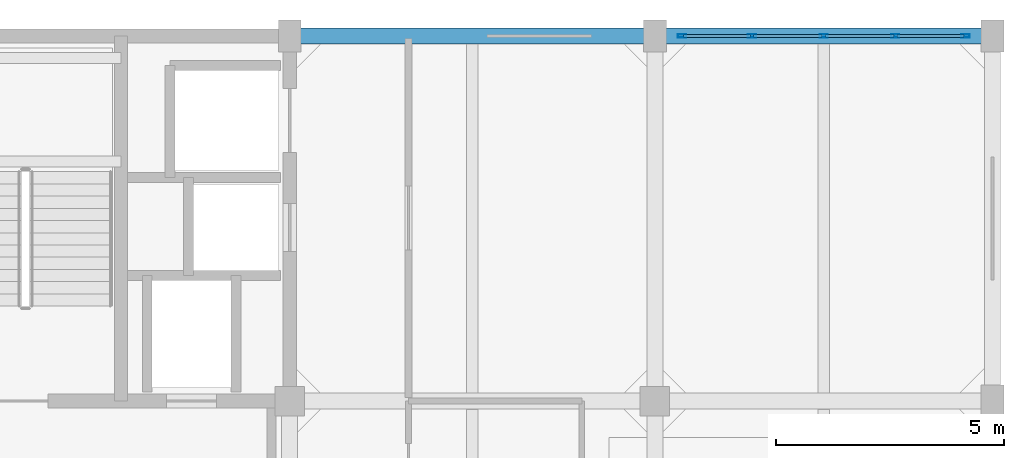
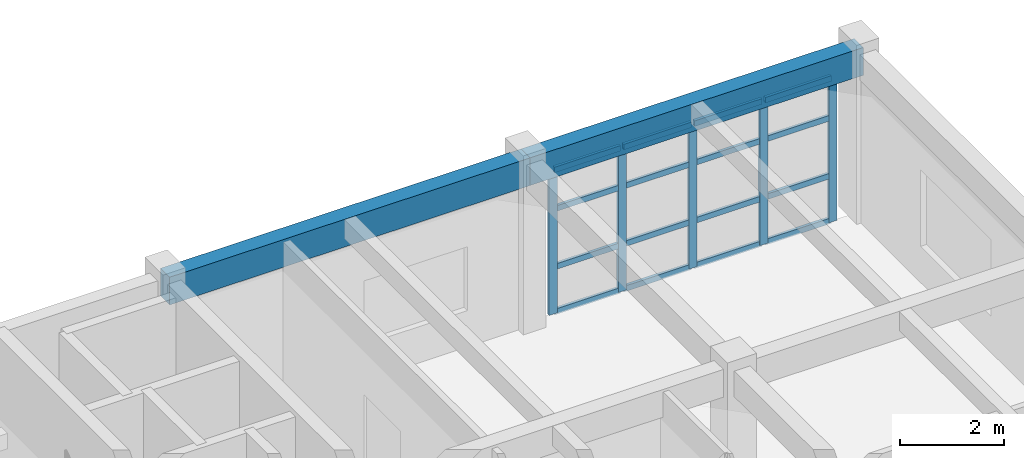
# One storey, part 12 of 18: 21 members, 2 beams, 1 element without a shape of its own.
"""IFC4 building model written with IfcOpenShell, lengths in metres."""

from ifc_helpers import new_model, si_unit, direction, frame, origin, origin_2d, place, context, subcontext, project, spatial, rectangle, hollow_rectangle, extrude, material, layer, layer_set, material_profile, profile_set, type_object, element, aggregate, save


model = new_model("IFC4")

# Units and contexts
model_context = context("Model", 3, precision=1e-05, world=origin(), true_north=direction((0.0, 1.0)))
body_context = subcontext(model_context, "Body", "Model", "MODEL_VIEW")
ifc_project = project(units=[si_unit("LENGTHUNIT", "METRE"), si_unit("AREAUNIT", "SQUARE_METRE"), si_unit("VOLUMEUNIT", "CUBIC_METRE"), si_unit("PLANEANGLEUNIT", "RADIAN"), si_unit("MASSUNIT", "GRAM", prefix="KILO")], contexts=[model_context])

# Site, building, storey
site_placement = place(None, origin())
site = spatial("IfcSite", under=ifc_project, at=site_placement, CompositionType="ELEMENT")
building_placement = place(site_placement, origin())
building = spatial("IfcBuilding", under=site, at=building_placement, Name="Canggui Botanical Conservatory", CompositionType="ELEMENT")
storey_placement = place(building_placement, frame((0.0, 0.0, 52.800048828125)))
storey = spatial("IfcBuildingStorey", under=building, at=storey_placement, Name="L13", CompositionType="ELEMENT", Elevation=52.800048828125)

# Beams
ifc_material_1 = material(Name="Concrete C35", Category="concrete")
ifc_material_profile_1 = material_profile(ifc_material_1, rectangle(XDim=0.35009765625, YDim=0.64990234375, at=origin_2d()), Name="RB 350x650")
ifc_profile_set_1 = profile_set([ifc_material_profile_1], Name="Concrete C35")
beam_type = type_object("IfcBeamType", Name="BM-KL18", PredefinedType="BEAM", material=ifc_profile_set_1)
beam_1_placement = place(storey_placement, frame((162.0, 66.0, 3.635009765625), z_axis=(1.0, 0.0, 0.0), x_axis=(0.0, 1.0, 0.0)))
element("IfcBeam", 1, at=beam_1_placement, inside=storey, type_object=beam_type, Name="Frame Girder L13 Y66-3", PredefinedType="BEAM", context=body_context, shape_type="SweptSolid", body=[
    extrude(rectangle(XDim=0.35009765625, YDim=0.64990234375, at=origin_2d()), origin(), (0.0, 0.0, 1.0), 8.0),
])
beam_2_placement = place(storey_placement, frame((170.0, 66.0, 3.635009765625), z_axis=(1.0, 0.0, 0.0), x_axis=(0.0, 1.0, 0.0)))
element("IfcBeam", 2, at=beam_2_placement, inside=storey, type_object=beam_type, Name="Frame Girder L13 Y66-4", PredefinedType="BEAM", context=body_context, shape_type="SweptSolid", body=[
    extrude(rectangle(XDim=0.35009765625, YDim=0.64990234375, at=origin_2d()), origin(), (0.0, 0.0, 1.0), 7.39990234375),
])

# Curtain wall, members
ifc_material_2 = material(Name="Thermally Broken Aluminium", Category="aluminium")
ifc_layer = layer(ifc_material_2, 0.179931640625, Name="Thermally Broken Aluminium", Category="aluminium")
ifc_layer_set = layer_set([ifc_layer], Name="Thermally Broken Aluminium")
curtain_wall_type = type_object("IfcCurtainWallType", Name="CW-UNIT-A", PredefinedType="USERDEFINED", material=ifc_layer_set)
curtain_wall_placement = place(storey_placement, origin())
curtain_wall = element("IfcCurtainWall", 3, at=curtain_wall_placement, inside=storey, type_object=curtain_wall_type, Name="Facade Curtain Wall CW-TWR-L13-11", ObjectType="UNITISED CURTAIN WALL", PredefinedType="USERDEFINED")
ifc_material_profile_2 = material_profile(ifc_material_2, hollow_rectangle(XDim=0.070068359375, YDim=0.179931640625, WallThickness=0.00390625, at=origin_2d()), Name="CWM 70x180x4")
ifc_profile_set_2 = profile_set([ifc_material_profile_2], Name="Thermally Broken Aluminium")
member_type_1 = type_object("IfcMemberType", Name="CWM-01", PredefinedType="MULLION", material=ifc_profile_set_2)
member_1_placement = place(storey_placement, frame((170.594970703125, 66.0, 0.0), z_axis=(0.0, 0.0, 1.0), x_axis=(0.0, 1.0, 0.0)))
member_1 = element("IfcMember", 4, at=member_1_placement, type_object=member_type_1, Name="CW-01 mullion 1", PredefinedType="MULLION", context=body_context, shape_type="SweptSolid", body=[
    extrude(hollow_rectangle(XDim=0.070068359375, YDim=0.179931640625, WallThickness=0.00390625, at=origin_2d()), origin(), (0.0, 0.0, 1.0), 3.39990234375),
])
member_2_placement = place(storey_placement, frame((172.1298828125, 66.0, 0.0), z_axis=(0.0, 0.0, 1.0), x_axis=(0.0, 1.0, 0.0)))
member_2 = element("IfcMember", 5, at=member_2_placement, type_object=member_type_1, Name="CW-01 mullion 2", PredefinedType="MULLION", context=body_context, shape_type="SweptSolid", body=[
    extrude(hollow_rectangle(XDim=0.070068359375, YDim=0.179931640625, WallThickness=0.00390625, at=origin_2d()), origin(), (0.0, 0.0, 1.0), 3.39990234375),
])
member_3_placement = place(storey_placement, frame((173.699951171875, 66.0, 0.0), z_axis=(0.0, 0.0, 1.0), x_axis=(0.0, 1.0, 0.0)))
member_3 = element("IfcMember", 6, at=member_3_placement, type_object=member_type_1, Name="CW-01 mullion 3", PredefinedType="MULLION", context=body_context, shape_type="SweptSolid", body=[
    extrude(hollow_rectangle(XDim=0.070068359375, YDim=0.179931640625, WallThickness=0.00390625, at=origin_2d()), origin(), (0.0, 0.0, 1.0), 3.39990234375),
])
member_4_placement = place(storey_placement, frame((175.27001953125, 66.0, 0.0), z_axis=(0.0, 0.0, 1.0), x_axis=(0.0, 1.0, 0.0)))
member_4 = element("IfcMember", 7, at=member_4_placement, type_object=member_type_1, Name="CW-01 mullion 4", PredefinedType="MULLION", context=body_context, shape_type="SweptSolid", body=[
    extrude(hollow_rectangle(XDim=0.070068359375, YDim=0.179931640625, WallThickness=0.00390625, at=origin_2d()), origin(), (0.0, 0.0, 1.0), 3.39990234375),
])
member_5_placement = place(storey_placement, frame((176.804931640625, 66.0, 0.0), z_axis=(0.0, 0.0, 1.0), x_axis=(0.0, 1.0, 0.0)))
member_5 = element("IfcMember", 8, at=member_5_placement, type_object=member_type_1, Name="CW-01 mullion 5", PredefinedType="MULLION", context=body_context, shape_type="SweptSolid", body=[
    extrude(hollow_rectangle(XDim=0.070068359375, YDim=0.179931640625, WallThickness=0.00390625, at=origin_2d()), origin(), (0.0, 0.0, 1.0), 3.39990234375),
])
ifc_material_profile_3 = material_profile(ifc_material_2, hollow_rectangle(XDim=0.06494140625, YDim=0.1298828125, WallThickness=0.00341796875, at=origin_2d()), Name="CWT 65x130x3.5")
ifc_profile_set_3 = profile_set([ifc_material_profile_3], Name="Thermally Broken Aluminium")
member_type_2 = type_object("IfcMemberType", Name="CWT-01", PredefinedType="USERDEFINED", material=ifc_profile_set_3)
member_6_placement = place(storey_placement, frame((170.6298828125, 66.0, 0.032470703125), z_axis=(1.0, 0.0, 0.0), x_axis=(0.0, 1.0, 0.0)))
member_6 = element("IfcMember", 9, at=member_6_placement, type_object=member_type_2, Name="CW-01 transom 1.1", ObjectType="TRANSOM", PredefinedType="USERDEFINED", context=body_context, shape_type="SweptSolid", body=[
    extrude(hollow_rectangle(XDim=0.06494140625, YDim=0.1298828125, WallThickness=0.00341796875, at=origin_2d()), origin(), (0.0, 0.0, 1.0), 1.465087890625),
])
member_7_placement = place(storey_placement, frame((170.6298828125, 66.0, 1.087890625), z_axis=(1.0, 0.0, 0.0), x_axis=(0.0, 1.0, 0.0)))
member_7 = element("IfcMember", 10, at=member_7_placement, type_object=member_type_2, Name="CW-01 transom 1.2", ObjectType="TRANSOM", PredefinedType="USERDEFINED", context=body_context, shape_type="SweptSolid", body=[
    extrude(hollow_rectangle(XDim=0.06494140625, YDim=0.1298828125, WallThickness=0.00341796875, at=origin_2d()), origin(), (0.0, 0.0, 1.0), 1.465087890625),
])
member_8_placement = place(storey_placement, frame((170.6298828125, 66.0, 2.447998046875), z_axis=(1.0, 0.0, 0.0), x_axis=(0.0, 1.0, 0.0)))
member_8 = element("IfcMember", 11, at=member_8_placement, type_object=member_type_2, Name="CW-01 transom 1.3", ObjectType="TRANSOM", PredefinedType="USERDEFINED", context=body_context, shape_type="SweptSolid", body=[
    extrude(hollow_rectangle(XDim=0.06494140625, YDim=0.1298828125, WallThickness=0.00341796875, at=origin_2d()), origin(), (0.0, 0.0, 1.0), 1.465087890625),
])
member_9_placement = place(storey_placement, frame((170.6298828125, 66.0, 3.367431640625), z_axis=(1.0, 0.0, 0.0), x_axis=(0.0, 1.0, 0.0)))
member_9 = element("IfcMember", 12, at=member_9_placement, type_object=member_type_2, Name="CW-01 transom 1.4", ObjectType="TRANSOM", PredefinedType="USERDEFINED", context=body_context, shape_type="SweptSolid", body=[
    extrude(hollow_rectangle(XDim=0.06494140625, YDim=0.1298828125, WallThickness=0.00341796875, at=origin_2d()), origin(), (0.0, 0.0, 1.0), 1.465087890625),
])
member_10_placement = place(storey_placement, frame((172.1650390625, 66.0, 0.032470703125), z_axis=(1.0, 0.0, 0.0), x_axis=(0.0, 1.0, 0.0)))
member_10 = element("IfcMember", 13, at=member_10_placement, type_object=member_type_2, Name="CW-01 transom 2.1", ObjectType="TRANSOM", PredefinedType="USERDEFINED", context=body_context, shape_type="SweptSolid", body=[
    extrude(hollow_rectangle(XDim=0.06494140625, YDim=0.1298828125, WallThickness=0.00341796875, at=origin_2d()), origin(), (0.0, 0.0, 1.0), 1.5),
])
member_11_placement = place(storey_placement, frame((172.1650390625, 66.0, 1.087890625), z_axis=(1.0, 0.0, 0.0), x_axis=(0.0, 1.0, 0.0)))
member_11 = element("IfcMember", 14, at=member_11_placement, type_object=member_type_2, Name="CW-01 transom 2.2", ObjectType="TRANSOM", PredefinedType="USERDEFINED", context=body_context, shape_type="SweptSolid", body=[
    extrude(hollow_rectangle(XDim=0.06494140625, YDim=0.1298828125, WallThickness=0.00341796875, at=origin_2d()), origin(), (0.0, 0.0, 1.0), 1.5),
])
member_12_placement = place(storey_placement, frame((172.1650390625, 66.0, 2.447998046875), z_axis=(1.0, 0.0, 0.0), x_axis=(0.0, 1.0, 0.0)))
member_12 = element("IfcMember", 15, at=member_12_placement, type_object=member_type_2, Name="CW-01 transom 2.3", ObjectType="TRANSOM", PredefinedType="USERDEFINED", context=body_context, shape_type="SweptSolid", body=[
    extrude(hollow_rectangle(XDim=0.06494140625, YDim=0.1298828125, WallThickness=0.00341796875, at=origin_2d()), origin(), (0.0, 0.0, 1.0), 1.5),
])
member_13_placement = place(storey_placement, frame((172.1650390625, 66.0, 3.367431640625), z_axis=(1.0, 0.0, 0.0), x_axis=(0.0, 1.0, 0.0)))
member_13 = element("IfcMember", 16, at=member_13_placement, type_object=member_type_2, Name="CW-01 transom 2.4", ObjectType="TRANSOM", PredefinedType="USERDEFINED", context=body_context, shape_type="SweptSolid", body=[
    extrude(hollow_rectangle(XDim=0.06494140625, YDim=0.1298828125, WallThickness=0.00341796875, at=origin_2d()), origin(), (0.0, 0.0, 1.0), 1.5),
])
member_14_placement = place(storey_placement, frame((173.735107421875, 66.0, 0.032470703125), z_axis=(1.0, 0.0, 0.0), x_axis=(0.0, 1.0, 0.0)))
member_14 = element("IfcMember", 17, at=member_14_placement, type_object=member_type_2, Name="CW-01 transom 3.1", ObjectType="TRANSOM", PredefinedType="USERDEFINED", context=body_context, shape_type="SweptSolid", body=[
    extrude(hollow_rectangle(XDim=0.06494140625, YDim=0.1298828125, WallThickness=0.00341796875, at=origin_2d()), origin(), (0.0, 0.0, 1.0), 1.5),
])
member_15_placement = place(storey_placement, frame((173.735107421875, 66.0, 1.087890625), z_axis=(1.0, 0.0, 0.0), x_axis=(0.0, 1.0, 0.0)))
member_15 = element("IfcMember", 18, at=member_15_placement, type_object=member_type_2, Name="CW-01 transom 3.2", ObjectType="TRANSOM", PredefinedType="USERDEFINED", context=body_context, shape_type="SweptSolid", body=[
    extrude(hollow_rectangle(XDim=0.06494140625, YDim=0.1298828125, WallThickness=0.00341796875, at=origin_2d()), origin(), (0.0, 0.0, 1.0), 1.5),
])
member_16_placement = place(storey_placement, frame((173.735107421875, 66.0, 2.447998046875), z_axis=(1.0, 0.0, 0.0), x_axis=(0.0, 1.0, 0.0)))
member_16 = element("IfcMember", 19, at=member_16_placement, type_object=member_type_2, Name="CW-01 transom 3.3", ObjectType="TRANSOM", PredefinedType="USERDEFINED", context=body_context, shape_type="SweptSolid", body=[
    extrude(hollow_rectangle(XDim=0.06494140625, YDim=0.1298828125, WallThickness=0.00341796875, at=origin_2d()), origin(), (0.0, 0.0, 1.0), 1.5),
])
member_17_placement = place(storey_placement, frame((173.735107421875, 66.0, 3.367431640625), z_axis=(1.0, 0.0, 0.0), x_axis=(0.0, 1.0, 0.0)))
member_17 = element("IfcMember", 20, at=member_17_placement, type_object=member_type_2, Name="CW-01 transom 3.4", ObjectType="TRANSOM", PredefinedType="USERDEFINED", context=body_context, shape_type="SweptSolid", body=[
    extrude(hollow_rectangle(XDim=0.06494140625, YDim=0.1298828125, WallThickness=0.00341796875, at=origin_2d()), origin(), (0.0, 0.0, 1.0), 1.5),
])
member_18_placement = place(storey_placement, frame((175.304931640625, 66.0, 0.032470703125), z_axis=(1.0, 0.0, 0.0), x_axis=(0.0, 1.0, 0.0)))
member_18 = element("IfcMember", 21, at=member_18_placement, type_object=member_type_2, Name="CW-01 transom 4.1", ObjectType="TRANSOM", PredefinedType="USERDEFINED", context=body_context, shape_type="SweptSolid", body=[
    extrude(hollow_rectangle(XDim=0.06494140625, YDim=0.1298828125, WallThickness=0.00341796875, at=origin_2d()), origin(), (0.0, 0.0, 1.0), 1.465087890625),
])
member_19_placement = place(storey_placement, frame((175.304931640625, 66.0, 1.087890625), z_axis=(1.0, 0.0, 0.0), x_axis=(0.0, 1.0, 0.0)))
member_19 = element("IfcMember", 22, at=member_19_placement, type_object=member_type_2, Name="CW-01 transom 4.2", ObjectType="TRANSOM", PredefinedType="USERDEFINED", context=body_context, shape_type="SweptSolid", body=[
    extrude(hollow_rectangle(XDim=0.06494140625, YDim=0.1298828125, WallThickness=0.00341796875, at=origin_2d()), origin(), (0.0, 0.0, 1.0), 1.465087890625),
])
member_20_placement = place(storey_placement, frame((175.304931640625, 66.0, 2.447998046875), z_axis=(1.0, 0.0, 0.0), x_axis=(0.0, 1.0, 0.0)))
member_20 = element("IfcMember", 23, at=member_20_placement, type_object=member_type_2, Name="CW-01 transom 4.3", ObjectType="TRANSOM", PredefinedType="USERDEFINED", context=body_context, shape_type="SweptSolid", body=[
    extrude(hollow_rectangle(XDim=0.06494140625, YDim=0.1298828125, WallThickness=0.00341796875, at=origin_2d()), origin(), (0.0, 0.0, 1.0), 1.465087890625),
])
member_21_placement = place(storey_placement, frame((175.304931640625, 66.0, 3.367431640625), z_axis=(1.0, 0.0, 0.0), x_axis=(0.0, 1.0, 0.0)))
member_21 = element("IfcMember", 24, at=member_21_placement, type_object=member_type_2, Name="CW-01 transom 4.4", ObjectType="TRANSOM", PredefinedType="USERDEFINED", context=body_context, shape_type="SweptSolid", body=[
    extrude(hollow_rectangle(XDim=0.06494140625, YDim=0.1298828125, WallThickness=0.00341796875, at=origin_2d()), origin(), (0.0, 0.0, 1.0), 1.465087890625),
])
aggregate(curtain_wall, [member_1, member_2, member_3, member_4, member_5, member_6, member_7, member_8, member_9, member_10, member_11, member_12, member_13, member_14, member_15, member_16, member_17, member_18, member_19, member_20, member_21])

save(model, "model.ifc")
